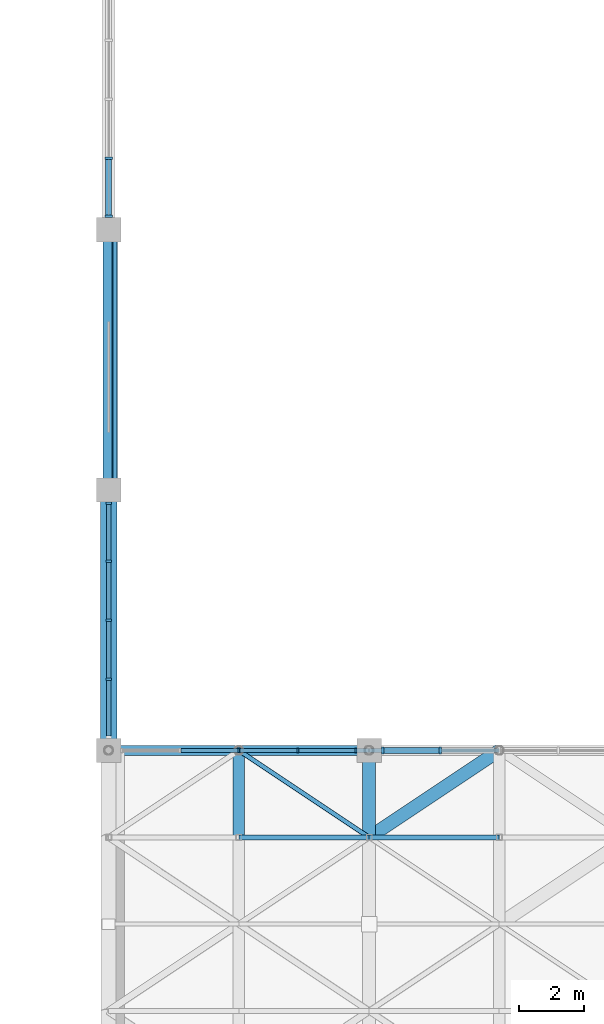
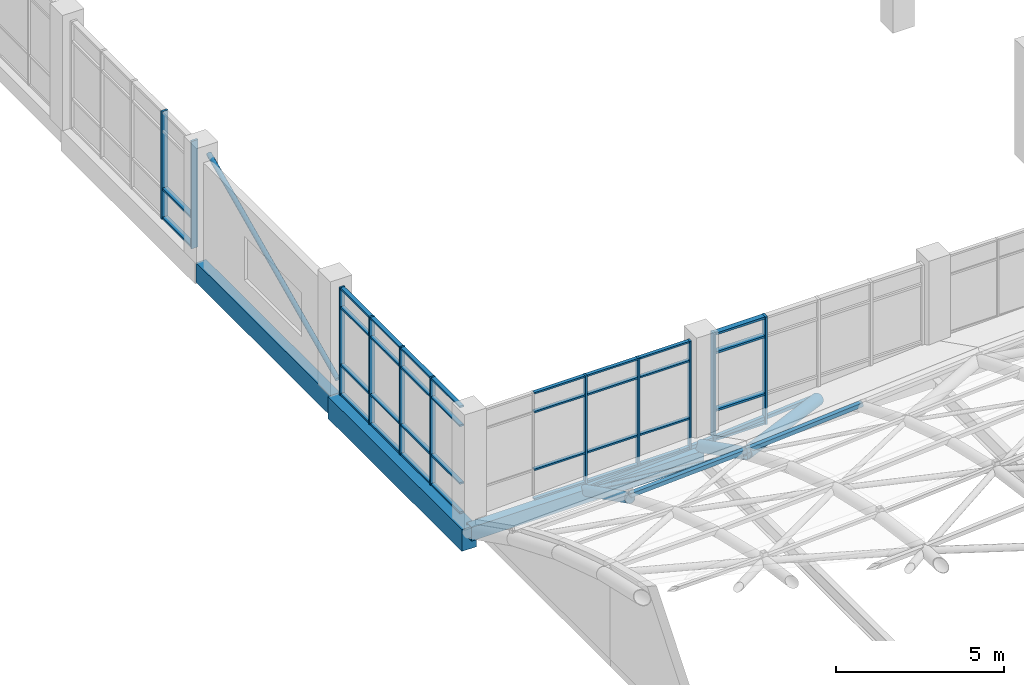
# One storey, part 13 of 72: 52 members, 5 beams, 4 elements without a shape of their own.
"""IFC4 building model written with IfcOpenShell, lengths in metres."""

from ifc_helpers import new_model, si_unit, direction, frame, origin, origin_2d, place, context, subcontext, project, spatial, rectangle, hollow_rectangle, hollow_circle, extrude, material, material_profile, profile_set, type_object, element, aggregate, save


model = new_model("IFC4")

# Units and contexts
model_context = context("Model", 3, precision=1e-05, world=origin(), true_north=direction((0.0, 1.0)))
body_context = subcontext(model_context, "Body", "Model", "MODEL_VIEW")
ifc_project = project(units=[si_unit("LENGTHUNIT", "METRE"), si_unit("AREAUNIT", "SQUARE_METRE"), si_unit("VOLUMEUNIT", "CUBIC_METRE"), si_unit("PLANEANGLEUNIT", "RADIAN"), si_unit("MASSUNIT", "GRAM", prefix="KILO")], contexts=[model_context])

# Site, building, storey
site_placement = place(None, origin())
site = spatial("IfcSite", under=ifc_project, at=site_placement, CompositionType="ELEMENT")
building_placement = place(site_placement, origin())
building = spatial("IfcBuilding", under=site, at=building_placement, Name="Tenunan Teduh Sports Hall", CompositionType="ELEMENT")
storey_placement = place(building_placement, frame((0.0, 0.0, 15.0)))
storey = spatial("IfcBuildingStorey", under=building, at=storey_placement, Name="L03", CompositionType="ELEMENT", Elevation=15.0)

# Beams
ifc_material_1 = material(Name="Concrete C40/50", Category="concrete")
ifc_material_profile_1 = material_profile(ifc_material_1, rectangle(XDim=0.5, YDim=0.800048828125, at=origin_2d()), Name="RCB 500x800")
ifc_profile_set_1 = profile_set([ifc_material_profile_1], Name="Concrete C40/50")
beam_type_1 = type_object("IfcBeamType", Name="BM-RC-500x800", PredefinedType="BEAM", material=ifc_profile_set_1)
beam_1_placement = place(storey_placement, frame((122.0, 46.0, -0.639892578125), z_axis=(0.0, 1.0, 0.0), x_axis=(-1.0, 0.0, 0.0)))
element("IfcBeam", 1, at=beam_1_placement, inside=storey, type_object=beam_type_1, Name="BM-B-14-L03-1936", PredefinedType="BEAM", context=body_context, shape_type="SweptSolid", body=[
    extrude(rectangle(XDim=0.5, YDim=0.800048828125, at=origin_2d()), origin(), (0.0, 0.0, 1.0), 8.0),
])
ifc_material_2 = material(Name="Concrete C40/50", Category="concrete")
ifc_material_profile_2 = material_profile(ifc_material_2, rectangle(XDim=0.35009765625, YDim=0.719970703125, at=origin_2d()), Name="TB 350x720")
ifc_profile_set_2 = profile_set([ifc_material_profile_2], Name="Concrete C40/50")
beam_type_2 = type_object("IfcBeamType", Name="BM-TB-350x720", PredefinedType="T_BEAM", material=ifc_profile_set_2)
beam_2_placement = place(storey_placement, frame((122.0, 54.0, -0.60009765625), z_axis=(0.0, 1.0, 0.0), x_axis=(-1.0, 0.0, 0.0)))
element("IfcBeam", 2, at=beam_2_placement, inside=storey, type_object=beam_type_2, Name="BM-TB-01-L03-1937", PredefinedType="T_BEAM", context=body_context, shape_type="SweptSolid", body=[
    extrude(rectangle(XDim=0.35009765625, YDim=0.719970703125, at=origin_2d()), origin(), (0.0, 0.0, 1.0), 8.0),
])

# Curtain wall, members
ifc_material_3 = material(Name="Anodised aluminium", Category="aluminium")
curtain_wall_type_1 = type_object("IfcCurtainWallType", Name="CW-CLER-1", PredefinedType="NOTDEFINED", material=ifc_material_3)
curtain_wall_1_placement = place(storey_placement, origin())
curtain_wall_1 = element("IfcCurtainWall", 3, at=curtain_wall_1_placement, inside=storey, type_object=curtain_wall_type_1, Name="CW-CWM-150-L03-139", PredefinedType="NOTDEFINED")
ifc_material_4 = material(Name="Anodised aluminium", Category="aluminium")
ifc_material_profile_3 = material_profile(ifc_material_4, rectangle(XDim=0.06005859375, YDim=0.14990234375, at=origin_2d()), Name="CWM 60x150")
ifc_profile_set_3 = profile_set([ifc_material_profile_3], Name="Anodised aluminium")
member_type_1 = type_object("IfcMemberType", Name="CWM-150", PredefinedType="MULLION", material=ifc_profile_set_3)
member_1_placement = place(storey_placement, frame((126.0, 46.0, 0.0), z_axis=(0.0, 0.0, 1.0), x_axis=(1.0, 0.0, 0.0)))
member_1 = element("IfcMember", 4, at=member_1_placement, type_object=member_type_1, Name="CW-03 mullion 3", PredefinedType="MULLION", context=body_context, shape_type="SweptSolid", body=[
    extrude(rectangle(XDim=0.06005859375, YDim=0.14990234375, at=origin_2d()), origin(), (0.0, 0.0, 1.0), 3.919921875),
])
member_2_placement = place(storey_placement, frame((127.8125, 46.0, 0.0), z_axis=(0.0, 0.0, 1.0), x_axis=(1.0, 0.0, 0.0)))
member_2 = element("IfcMember", 5, at=member_2_placement, type_object=member_type_1, Name="CW-03 mullion 4", PredefinedType="MULLION", context=body_context, shape_type="SweptSolid", body=[
    extrude(rectangle(XDim=0.06005859375, YDim=0.14990234375, at=origin_2d()), origin(), (0.0, 0.0, 1.0), 3.919921875),
])
member_3_placement = place(storey_placement, frame((129.594970703125, 46.0, 0.0), z_axis=(0.0, 0.0, 1.0), x_axis=(1.0, 0.0, 0.0)))
member_3 = element("IfcMember", 6, at=member_3_placement, type_object=member_type_1, Name="CW-03 mullion 5", PredefinedType="MULLION", context=body_context, shape_type="SweptSolid", body=[
    extrude(rectangle(XDim=0.06005859375, YDim=0.14990234375, at=origin_2d()), origin(), (0.0, 0.0, 1.0), 3.919921875),
])

ifc_material_5 = material(Name="Anodised aluminium", Category="aluminium")
curtain_wall_type_2 = type_object("IfcCurtainWallType", Name="CW-UNIT-2", PredefinedType="NOTDEFINED", material=ifc_material_5)
curtain_wall_2_placement = place(storey_placement, origin())
curtain_wall_2 = element("IfcCurtainWall", 7, at=curtain_wall_2_placement, inside=storey, type_object=curtain_wall_type_2, Name="CW-CWM-175-L03-146", PredefinedType="NOTDEFINED")
ifc_material_6 = material(Name="Anodised aluminium", Category="aluminium")
ifc_material_profile_4 = material_profile(ifc_material_6, rectangle(XDim=0.06494140625, YDim=0.175048828125, at=origin_2d()), Name="CWM 65x175")
ifc_profile_set_4 = profile_set([ifc_material_profile_4], Name="Anodised aluminium")
member_type_2 = type_object("IfcMemberType", Name="CWM-175", PredefinedType="MULLION", material=ifc_profile_set_4)
member_4_placement = place(storey_placement, frame((122.0, 48.1875, 0.0), z_axis=(0.0, 0.0, 1.0), x_axis=(0.0, 1.0, 0.0)))
member_4 = element("IfcMember", 8, at=member_4_placement, type_object=member_type_2, Name="CW-02 mullion 2", PredefinedType="MULLION", context=body_context, shape_type="SweptSolid", body=[
    extrude(rectangle(XDim=0.06494140625, YDim=0.175048828125, at=origin_2d()), origin(), (0.0, 0.0, 1.0), 3.919921875),
])
member_5_placement = place(storey_placement, frame((122.0, 50.0, 0.0), z_axis=(0.0, 0.0, 1.0), x_axis=(0.0, 1.0, 0.0)))
member_5 = element("IfcMember", 9, at=member_5_placement, type_object=member_type_2, Name="CW-02 mullion 3", PredefinedType="MULLION", context=body_context, shape_type="SweptSolid", body=[
    extrude(rectangle(XDim=0.06494140625, YDim=0.175048828125, at=origin_2d()), origin(), (0.0, 0.0, 1.0), 3.919921875),
])
member_6_placement = place(storey_placement, frame((122.0, 51.8125, 0.0), z_axis=(0.0, 0.0, 1.0), x_axis=(0.0, 1.0, 0.0)))
member_6 = element("IfcMember", 10, at=member_6_placement, type_object=member_type_2, Name="CW-02 mullion 4", PredefinedType="MULLION", context=body_context, shape_type="SweptSolid", body=[
    extrude(rectangle(XDim=0.06494140625, YDim=0.175048828125, at=origin_2d()), origin(), (0.0, 0.0, 1.0), 3.919921875),
])
member_7_placement = place(storey_placement, frame((122.0, 53.592529296875, 0.0), z_axis=(0.0, 0.0, 1.0), x_axis=(0.0, 1.0, 0.0)))
member_7 = element("IfcMember", 11, at=member_7_placement, type_object=member_type_2, Name="CW-02 mullion 5", PredefinedType="MULLION", context=body_context, shape_type="SweptSolid", body=[
    extrude(rectangle(XDim=0.06494140625, YDim=0.175048828125, at=origin_2d()), origin(), (0.0, 0.0, 1.0), 3.919921875),
])

curtain_wall_3_placement = place(storey_placement, origin())
curtain_wall_3 = element("IfcCurtainWall", 12, at=curtain_wall_3_placement, inside=storey, type_object=curtain_wall_type_1, Name="CW-CWM-220-L03-141", PredefinedType="NOTDEFINED")
ifc_material_7 = material(Name="Anodised aluminium", Category="aluminium")
ifc_material_profile_5 = material_profile(ifc_material_7, rectangle(XDim=0.074951171875, YDim=0.219970703125, at=origin_2d()), Name="CWM 75x220")
ifc_profile_set_5 = profile_set([ifc_material_profile_5], Name="Anodised aluminium")
member_type_3 = type_object("IfcMemberType", Name="CWM-220", PredefinedType="MULLION", material=ifc_profile_set_5)
member_8_placement = place(storey_placement, frame((130.41259765625, 46.0, 0.0), z_axis=(0.0, 0.0, 1.0), x_axis=(1.0, 0.0, 0.0)))
member_8 = element("IfcMember", 13, at=member_8_placement, type_object=member_type_3, Name="CW-03 mullion 1", PredefinedType="MULLION", context=body_context, shape_type="SweptSolid", body=[
    extrude(rectangle(XDim=0.074951171875, YDim=0.219970703125, at=origin_2d()), origin(), (0.0, 0.0, 1.0), 3.919921875),
])
member_9_placement = place(storey_placement, frame((132.1875, 46.0, 0.0), z_axis=(0.0, 0.0, 1.0), x_axis=(1.0, 0.0, 0.0)))
member_9 = element("IfcMember", 14, at=member_9_placement, type_object=member_type_3, Name="CW-03 mullion 2", PredefinedType="MULLION", context=body_context, shape_type="SweptSolid", body=[
    extrude(rectangle(XDim=0.074951171875, YDim=0.219970703125, at=origin_2d()), origin(), (0.0, 0.0, 1.0), 3.919921875),
])

curtain_wall_4_placement = place(storey_placement, origin())
curtain_wall_4 = element("IfcCurtainWall", 15, at=curtain_wall_4_placement, inside=storey, type_object=curtain_wall_type_2, Name="CW-CWM-220-L03-149", PredefinedType="NOTDEFINED")
member_10_placement = place(storey_placement, frame((122.0, 62.41259765625, 0.0), z_axis=(0.0, 0.0, 1.0), x_axis=(0.0, 1.0, 0.0)))
member_10 = element("IfcMember", 16, at=member_10_placement, type_object=member_type_3, Name="CW-02 mullion 1", PredefinedType="MULLION", context=body_context, shape_type="SweptSolid", body=[
    extrude(rectangle(XDim=0.074951171875, YDim=0.219970703125, at=origin_2d()), origin(), (0.0, 0.0, 1.0), 3.919921875),
])
member_11_placement = place(storey_placement, frame((122.0, 64.1875, 0.0), z_axis=(0.0, 0.0, 1.0), x_axis=(0.0, 1.0, 0.0)))
member_11 = element("IfcMember", 17, at=member_11_placement, type_object=member_type_3, Name="CW-02 mullion 2", PredefinedType="MULLION", context=body_context, shape_type="SweptSolid", body=[
    extrude(rectangle(XDim=0.074951171875, YDim=0.219970703125, at=origin_2d()), origin(), (0.0, 0.0, 1.0), 3.919921875),
])

# Member
ifc_material_8 = material(Name="Anodised aluminium", Category="aluminium")
ifc_material_profile_6 = material_profile(ifc_material_8, rectangle(XDim=0.06005859375, YDim=0.1201171875, at=origin_2d()), Name="CWT 60x120")
ifc_profile_set_6 = profile_set([ifc_material_profile_6], Name="Anodised aluminium")
member_type_4 = type_object("IfcMemberType", Name="CWT-125", PredefinedType="USERDEFINED", material=ifc_profile_set_6)
member_12_placement = place(storey_placement, frame((124.217529296875, 46.0, 0.030029296875), z_axis=(1.0, 0.0, 0.0), x_axis=(0.0, 0.0, 1.0)))
member_12 = element("IfcMember", 18, at=member_12_placement, type_object=member_type_4, Name="CW-03 transom 2.1", ObjectType="TRANSOM", PredefinedType="USERDEFINED", context=body_context, shape_type="SweptSolid", body=[
    extrude(rectangle(XDim=0.06005859375, YDim=0.1201171875, at=origin_2d()), origin(), (0.0, 0.0, 1.0), 1.75244140625),
])

member_13_placement = place(storey_placement, frame((124.217529296875, 46.0, 1.10009765625), z_axis=(1.0, 0.0, 0.0), x_axis=(0.0, 0.0, 1.0)))
member_13 = element("IfcMember", 19, at=member_13_placement, type_object=member_type_4, Name="CW-03 transom 2.2", ObjectType="TRANSOM", PredefinedType="USERDEFINED", context=body_context, shape_type="SweptSolid", body=[
    extrude(rectangle(XDim=0.06005859375, YDim=0.1201171875, at=origin_2d()), origin(), (0.0, 0.0, 1.0), 1.75244140625),
])

member_14_placement = place(storey_placement, frame((124.217529296875, 46.0, 3.199951171875), z_axis=(1.0, 0.0, 0.0), x_axis=(0.0, 0.0, 1.0)))
member_14 = element("IfcMember", 20, at=member_14_placement, type_object=member_type_4, Name="CW-03 transom 2.3", ObjectType="TRANSOM", PredefinedType="USERDEFINED", context=body_context, shape_type="SweptSolid", body=[
    extrude(rectangle(XDim=0.06005859375, YDim=0.1201171875, at=origin_2d()), origin(), (0.0, 0.0, 1.0), 1.75244140625),
])

member_15_placement = place(storey_placement, frame((124.217529296875, 46.0, 3.889892578125), z_axis=(1.0, 0.0, 0.0), x_axis=(0.0, 0.0, 1.0)))
member_15 = element("IfcMember", 21, at=member_15_placement, type_object=member_type_4, Name="CW-03 transom 2.4", ObjectType="TRANSOM", PredefinedType="USERDEFINED", context=body_context, shape_type="SweptSolid", body=[
    extrude(rectangle(XDim=0.06005859375, YDim=0.1201171875, at=origin_2d()), origin(), (0.0, 0.0, 1.0), 1.75244140625),
])

member_16_placement = place(storey_placement, frame((126.030029296875, 46.0, 0.030029296875), z_axis=(1.0, 0.0, 0.0), x_axis=(0.0, 0.0, 1.0)))
member_16 = element("IfcMember", 22, at=member_16_placement, type_object=member_type_4, Name="CW-03 transom 3.1", ObjectType="TRANSOM", PredefinedType="USERDEFINED", context=body_context, shape_type="SweptSolid", body=[
    extrude(rectangle(XDim=0.06005859375, YDim=0.1201171875, at=origin_2d()), origin(), (0.0, 0.0, 1.0), 1.75244140625),
])

member_17_placement = place(storey_placement, frame((126.030029296875, 46.0, 1.10009765625), z_axis=(1.0, 0.0, 0.0), x_axis=(0.0, 0.0, 1.0)))
member_17 = element("IfcMember", 23, at=member_17_placement, type_object=member_type_4, Name="CW-03 transom 3.2", ObjectType="TRANSOM", PredefinedType="USERDEFINED", context=body_context, shape_type="SweptSolid", body=[
    extrude(rectangle(XDim=0.06005859375, YDim=0.1201171875, at=origin_2d()), origin(), (0.0, 0.0, 1.0), 1.75244140625),
])

member_18_placement = place(storey_placement, frame((126.030029296875, 46.0, 3.199951171875), z_axis=(1.0, 0.0, 0.0), x_axis=(0.0, 0.0, 1.0)))
member_18 = element("IfcMember", 24, at=member_18_placement, type_object=member_type_4, Name="CW-03 transom 3.3", ObjectType="TRANSOM", PredefinedType="USERDEFINED", context=body_context, shape_type="SweptSolid", body=[
    extrude(rectangle(XDim=0.06005859375, YDim=0.1201171875, at=origin_2d()), origin(), (0.0, 0.0, 1.0), 1.75244140625),
])

member_19_placement = place(storey_placement, frame((126.030029296875, 46.0, 3.889892578125), z_axis=(1.0, 0.0, 0.0), x_axis=(0.0, 0.0, 1.0)))
member_19 = element("IfcMember", 25, at=member_19_placement, type_object=member_type_4, Name="CW-03 transom 3.4", ObjectType="TRANSOM", PredefinedType="USERDEFINED", context=body_context, shape_type="SweptSolid", body=[
    extrude(rectangle(XDim=0.06005859375, YDim=0.1201171875, at=origin_2d()), origin(), (0.0, 0.0, 1.0), 1.75244140625),
])

member_20_placement = place(storey_placement, frame((127.842529296875, 46.0, 0.030029296875), z_axis=(1.0, 0.0, 0.0), x_axis=(0.0, 0.0, 1.0)))
member_20 = element("IfcMember", 26, at=member_20_placement, type_object=member_type_4, Name="CW-03 transom 4.1", ObjectType="TRANSOM", PredefinedType="USERDEFINED", context=body_context, shape_type="SweptSolid", body=[
    extrude(rectangle(XDim=0.06005859375, YDim=0.1201171875, at=origin_2d()), origin(), (0.0, 0.0, 1.0), 1.722412109375),
])

member_21_placement = place(storey_placement, frame((127.842529296875, 46.0, 1.10009765625), z_axis=(1.0, 0.0, 0.0), x_axis=(0.0, 0.0, 1.0)))
member_21 = element("IfcMember", 27, at=member_21_placement, type_object=member_type_4, Name="CW-03 transom 4.2", ObjectType="TRANSOM", PredefinedType="USERDEFINED", context=body_context, shape_type="SweptSolid", body=[
    extrude(rectangle(XDim=0.06005859375, YDim=0.1201171875, at=origin_2d()), origin(), (0.0, 0.0, 1.0), 1.722412109375),
])

member_22_placement = place(storey_placement, frame((127.842529296875, 46.0, 3.199951171875), z_axis=(1.0, 0.0, 0.0), x_axis=(0.0, 0.0, 1.0)))
member_22 = element("IfcMember", 28, at=member_22_placement, type_object=member_type_4, Name="CW-03 transom 4.3", ObjectType="TRANSOM", PredefinedType="USERDEFINED", context=body_context, shape_type="SweptSolid", body=[
    extrude(rectangle(XDim=0.06005859375, YDim=0.1201171875, at=origin_2d()), origin(), (0.0, 0.0, 1.0), 1.722412109375),
])

member_23_placement = place(storey_placement, frame((127.842529296875, 46.0, 3.889892578125), z_axis=(1.0, 0.0, 0.0), x_axis=(0.0, 0.0, 1.0)))
member_23 = element("IfcMember", 29, at=member_23_placement, type_object=member_type_4, Name="CW-03 transom 4.4", ObjectType="TRANSOM", PredefinedType="USERDEFINED", context=body_context, shape_type="SweptSolid", body=[
    extrude(rectangle(XDim=0.06005859375, YDim=0.1201171875, at=origin_2d()), origin(), (0.0, 0.0, 1.0), 1.722412109375),
])

aggregate(curtain_wall_1, [member_1, member_2, member_3, member_12, member_13, member_14, member_15, member_16, member_17, member_18, member_19, member_20, member_21, member_22, member_23])

ifc_material_9 = material(Name="Anodised aluminium", Category="aluminium")
ifc_material_profile_7 = material_profile(ifc_material_9, rectangle(XDim=0.06494140625, YDim=0.139892578125, at=origin_2d()), Name="CWT 65x140")
ifc_profile_set_7 = profile_set([ifc_material_profile_7], Name="Anodised aluminium")
member_type_5 = type_object("IfcMemberType", Name="CWT-150", PredefinedType="USERDEFINED", material=ifc_profile_set_7)
member_24_placement = place(storey_placement, frame((122.0, 46.43994140625, 0.032470703125), z_axis=(0.0, 1.0, 0.0), x_axis=(0.0, 0.0, 1.0)))
member_24 = element("IfcMember", 30, at=member_24_placement, type_object=member_type_5, Name="CW-02 transom 1.1", ObjectType="TRANSOM", PredefinedType="USERDEFINED", context=body_context, shape_type="SweptSolid", body=[
    extrude(rectangle(XDim=0.06494140625, YDim=0.139892578125, at=origin_2d()), origin(), (0.0, 0.0, 1.0), 1.715087890625),
])

member_25_placement = place(storey_placement, frame((122.0, 46.43994140625, 1.10009765625), z_axis=(0.0, 1.0, 0.0), x_axis=(0.0, 0.0, 1.0)))
member_25 = element("IfcMember", 31, at=member_25_placement, type_object=member_type_5, Name="CW-02 transom 1.2", ObjectType="TRANSOM", PredefinedType="USERDEFINED", context=body_context, shape_type="SweptSolid", body=[
    extrude(rectangle(XDim=0.06494140625, YDim=0.139892578125, at=origin_2d()), origin(), (0.0, 0.0, 1.0), 1.715087890625),
])

member_26_placement = place(storey_placement, frame((122.0, 46.43994140625, 3.199951171875), z_axis=(0.0, 1.0, 0.0), x_axis=(0.0, 0.0, 1.0)))
member_26 = element("IfcMember", 32, at=member_26_placement, type_object=member_type_5, Name="CW-02 transom 1.3", ObjectType="TRANSOM", PredefinedType="USERDEFINED", context=body_context, shape_type="SweptSolid", body=[
    extrude(rectangle(XDim=0.06494140625, YDim=0.139892578125, at=origin_2d()), origin(), (0.0, 0.0, 1.0), 1.715087890625),
])

member_27_placement = place(storey_placement, frame((122.0, 46.43994140625, 3.887451171875), z_axis=(0.0, 1.0, 0.0), x_axis=(0.0, 0.0, 1.0)))
member_27 = element("IfcMember", 33, at=member_27_placement, type_object=member_type_5, Name="CW-02 transom 1.4", ObjectType="TRANSOM", PredefinedType="USERDEFINED", context=body_context, shape_type="SweptSolid", body=[
    extrude(rectangle(XDim=0.06494140625, YDim=0.139892578125, at=origin_2d()), origin(), (0.0, 0.0, 1.0), 1.715087890625),
])

member_28_placement = place(storey_placement, frame((122.0, 48.219970703125, 0.032470703125), z_axis=(0.0, 1.0, 0.0), x_axis=(0.0, 0.0, 1.0)))
member_28 = element("IfcMember", 34, at=member_28_placement, type_object=member_type_5, Name="CW-02 transom 2.1", ObjectType="TRANSOM", PredefinedType="USERDEFINED", context=body_context, shape_type="SweptSolid", body=[
    extrude(rectangle(XDim=0.06494140625, YDim=0.139892578125, at=origin_2d()), origin(), (0.0, 0.0, 1.0), 1.74755859375),
])

member_29_placement = place(storey_placement, frame((122.0, 48.219970703125, 1.10009765625), z_axis=(0.0, 1.0, 0.0), x_axis=(0.0, 0.0, 1.0)))
member_29 = element("IfcMember", 35, at=member_29_placement, type_object=member_type_5, Name="CW-02 transom 2.2", ObjectType="TRANSOM", PredefinedType="USERDEFINED", context=body_context, shape_type="SweptSolid", body=[
    extrude(rectangle(XDim=0.06494140625, YDim=0.139892578125, at=origin_2d()), origin(), (0.0, 0.0, 1.0), 1.74755859375),
])

member_30_placement = place(storey_placement, frame((122.0, 48.219970703125, 3.199951171875), z_axis=(0.0, 1.0, 0.0), x_axis=(0.0, 0.0, 1.0)))
member_30 = element("IfcMember", 36, at=member_30_placement, type_object=member_type_5, Name="CW-02 transom 2.3", ObjectType="TRANSOM", PredefinedType="USERDEFINED", context=body_context, shape_type="SweptSolid", body=[
    extrude(rectangle(XDim=0.06494140625, YDim=0.139892578125, at=origin_2d()), origin(), (0.0, 0.0, 1.0), 1.74755859375),
])

member_31_placement = place(storey_placement, frame((122.0, 48.219970703125, 3.887451171875), z_axis=(0.0, 1.0, 0.0), x_axis=(0.0, 0.0, 1.0)))
member_31 = element("IfcMember", 37, at=member_31_placement, type_object=member_type_5, Name="CW-02 transom 2.4", ObjectType="TRANSOM", PredefinedType="USERDEFINED", context=body_context, shape_type="SweptSolid", body=[
    extrude(rectangle(XDim=0.06494140625, YDim=0.139892578125, at=origin_2d()), origin(), (0.0, 0.0, 1.0), 1.74755859375),
])

member_32_placement = place(storey_placement, frame((122.0, 50.032470703125, 0.032470703125), z_axis=(0.0, 1.0, 0.0), x_axis=(0.0, 0.0, 1.0)))
member_32 = element("IfcMember", 38, at=member_32_placement, type_object=member_type_5, Name="CW-02 transom 3.1", ObjectType="TRANSOM", PredefinedType="USERDEFINED", context=body_context, shape_type="SweptSolid", body=[
    extrude(rectangle(XDim=0.06494140625, YDim=0.139892578125, at=origin_2d()), origin(), (0.0, 0.0, 1.0), 1.74755859375),
])

member_33_placement = place(storey_placement, frame((122.0, 50.032470703125, 1.10009765625), z_axis=(0.0, 1.0, 0.0), x_axis=(0.0, 0.0, 1.0)))
member_33 = element("IfcMember", 39, at=member_33_placement, type_object=member_type_5, Name="CW-02 transom 3.2", ObjectType="TRANSOM", PredefinedType="USERDEFINED", context=body_context, shape_type="SweptSolid", body=[
    extrude(rectangle(XDim=0.06494140625, YDim=0.139892578125, at=origin_2d()), origin(), (0.0, 0.0, 1.0), 1.74755859375),
])

member_34_placement = place(storey_placement, frame((122.0, 50.032470703125, 3.199951171875), z_axis=(0.0, 1.0, 0.0), x_axis=(0.0, 0.0, 1.0)))
member_34 = element("IfcMember", 40, at=member_34_placement, type_object=member_type_5, Name="CW-02 transom 3.3", ObjectType="TRANSOM", PredefinedType="USERDEFINED", context=body_context, shape_type="SweptSolid", body=[
    extrude(rectangle(XDim=0.06494140625, YDim=0.139892578125, at=origin_2d()), origin(), (0.0, 0.0, 1.0), 1.74755859375),
])

member_35_placement = place(storey_placement, frame((122.0, 50.032470703125, 3.887451171875), z_axis=(0.0, 1.0, 0.0), x_axis=(0.0, 0.0, 1.0)))
member_35 = element("IfcMember", 41, at=member_35_placement, type_object=member_type_5, Name="CW-02 transom 3.4", ObjectType="TRANSOM", PredefinedType="USERDEFINED", context=body_context, shape_type="SweptSolid", body=[
    extrude(rectangle(XDim=0.06494140625, YDim=0.139892578125, at=origin_2d()), origin(), (0.0, 0.0, 1.0), 1.74755859375),
])

member_36_placement = place(storey_placement, frame((122.0, 51.844970703125, 0.032470703125), z_axis=(0.0, 1.0, 0.0), x_axis=(0.0, 0.0, 1.0)))
member_36 = element("IfcMember", 42, at=member_36_placement, type_object=member_type_5, Name="CW-02 transom 4.1", ObjectType="TRANSOM", PredefinedType="USERDEFINED", context=body_context, shape_type="SweptSolid", body=[
    extrude(rectangle(XDim=0.06494140625, YDim=0.139892578125, at=origin_2d()), origin(), (0.0, 0.0, 1.0), 1.715087890625),
])

member_37_placement = place(storey_placement, frame((122.0, 51.844970703125, 1.10009765625), z_axis=(0.0, 1.0, 0.0), x_axis=(0.0, 0.0, 1.0)))
member_37 = element("IfcMember", 43, at=member_37_placement, type_object=member_type_5, Name="CW-02 transom 4.2", ObjectType="TRANSOM", PredefinedType="USERDEFINED", context=body_context, shape_type="SweptSolid", body=[
    extrude(rectangle(XDim=0.06494140625, YDim=0.139892578125, at=origin_2d()), origin(), (0.0, 0.0, 1.0), 1.715087890625),
])

member_38_placement = place(storey_placement, frame((122.0, 51.844970703125, 3.199951171875), z_axis=(0.0, 1.0, 0.0), x_axis=(0.0, 0.0, 1.0)))
member_38 = element("IfcMember", 44, at=member_38_placement, type_object=member_type_5, Name="CW-02 transom 4.3", ObjectType="TRANSOM", PredefinedType="USERDEFINED", context=body_context, shape_type="SweptSolid", body=[
    extrude(rectangle(XDim=0.06494140625, YDim=0.139892578125, at=origin_2d()), origin(), (0.0, 0.0, 1.0), 1.715087890625),
])

member_39_placement = place(storey_placement, frame((122.0, 51.844970703125, 3.887451171875), z_axis=(0.0, 1.0, 0.0), x_axis=(0.0, 0.0, 1.0)))
member_39 = element("IfcMember", 45, at=member_39_placement, type_object=member_type_5, Name="CW-02 transom 4.4", ObjectType="TRANSOM", PredefinedType="USERDEFINED", context=body_context, shape_type="SweptSolid", body=[
    extrude(rectangle(XDim=0.06494140625, YDim=0.139892578125, at=origin_2d()), origin(), (0.0, 0.0, 1.0), 1.715087890625),
])

aggregate(curtain_wall_2, [member_4, member_5, member_6, member_7, member_24, member_25, member_26, member_27, member_28, member_29, member_30, member_31, member_32, member_33, member_34, member_35, member_36, member_37, member_38, member_39])

ifc_material_10 = material(Name="Anodised aluminium", Category="aluminium")
ifc_material_profile_8 = material_profile(ifc_material_10, rectangle(XDim=0.074951171875, YDim=0.179931640625, at=origin_2d()), Name="CWT 75x180")
ifc_profile_set_8 = profile_set([ifc_material_profile_8], Name="Anodised aluminium")
member_type_6 = type_object("IfcMemberType", Name="CWT-180", PredefinedType="USERDEFINED", material=ifc_profile_set_8)
member_40_placement = place(storey_placement, frame((130.449951171875, 46.0, 0.03759765625), z_axis=(1.0, 0.0, 0.0), x_axis=(0.0, 0.0, 1.0)))
member_40 = element("IfcMember", 46, at=member_40_placement, type_object=member_type_6, Name="CW-03 transom 1.1", ObjectType="TRANSOM", PredefinedType="USERDEFINED", context=body_context, shape_type="SweptSolid", body=[
    extrude(rectangle(XDim=0.074951171875, YDim=0.179931640625, at=origin_2d()), origin(), (0.0, 0.0, 1.0), 1.699951171875),
])

member_41_placement = place(storey_placement, frame((130.449951171875, 46.0, 1.10009765625), z_axis=(1.0, 0.0, 0.0), x_axis=(0.0, 0.0, 1.0)))
member_41 = element("IfcMember", 47, at=member_41_placement, type_object=member_type_6, Name="CW-03 transom 1.2", ObjectType="TRANSOM", PredefinedType="USERDEFINED", context=body_context, shape_type="SweptSolid", body=[
    extrude(rectangle(XDim=0.074951171875, YDim=0.179931640625, at=origin_2d()), origin(), (0.0, 0.0, 1.0), 1.699951171875),
])

member_42_placement = place(storey_placement, frame((130.449951171875, 46.0, 3.199951171875), z_axis=(1.0, 0.0, 0.0), x_axis=(0.0, 0.0, 1.0)))
member_42 = element("IfcMember", 48, at=member_42_placement, type_object=member_type_6, Name="CW-03 transom 1.3", ObjectType="TRANSOM", PredefinedType="USERDEFINED", context=body_context, shape_type="SweptSolid", body=[
    extrude(rectangle(XDim=0.074951171875, YDim=0.179931640625, at=origin_2d()), origin(), (0.0, 0.0, 1.0), 1.699951171875),
])

member_43_placement = place(storey_placement, frame((130.449951171875, 46.0, 3.882568359375), z_axis=(1.0, 0.0, 0.0), x_axis=(0.0, 0.0, 1.0)))
member_43 = element("IfcMember", 49, at=member_43_placement, type_object=member_type_6, Name="CW-03 transom 1.4", ObjectType="TRANSOM", PredefinedType="USERDEFINED", context=body_context, shape_type="SweptSolid", body=[
    extrude(rectangle(XDim=0.074951171875, YDim=0.179931640625, at=origin_2d()), origin(), (0.0, 0.0, 1.0), 1.699951171875),
])

aggregate(curtain_wall_3, [member_8, member_9, member_40, member_41, member_42, member_43])

member_44_placement = place(storey_placement, frame((122.0, 62.449951171875, 0.03759765625), z_axis=(0.0, 1.0, 0.0), x_axis=(0.0, 0.0, 1.0)))
member_44 = element("IfcMember", 50, at=member_44_placement, type_object=member_type_6, Name="CW-02 transom 1.1", ObjectType="TRANSOM", PredefinedType="USERDEFINED", context=body_context, shape_type="SweptSolid", body=[
    extrude(rectangle(XDim=0.074951171875, YDim=0.179931640625, at=origin_2d()), origin(), (0.0, 0.0, 1.0), 1.699951171875),
])

member_45_placement = place(storey_placement, frame((122.0, 62.449951171875, 1.10009765625), z_axis=(0.0, 1.0, 0.0), x_axis=(0.0, 0.0, 1.0)))
member_45 = element("IfcMember", 51, at=member_45_placement, type_object=member_type_6, Name="CW-02 transom 1.2", ObjectType="TRANSOM", PredefinedType="USERDEFINED", context=body_context, shape_type="SweptSolid", body=[
    extrude(rectangle(XDim=0.074951171875, YDim=0.179931640625, at=origin_2d()), origin(), (0.0, 0.0, 1.0), 1.699951171875),
])

aggregate(curtain_wall_4, [member_10, member_11, member_44, member_45])

# Beams
ifc_material_11 = material(Name="Steel S355", Category="steel")
ifc_material_profile_9 = material_profile(ifc_material_11, hollow_circle(Radius=0.177734375, WallThickness=0.012451171875, at=origin_2d()), Name="CHS 355.6x12.5")
ifc_profile_set_9 = profile_set([ifc_material_profile_9], Name="Steel S355")
beam_type_3 = type_object("IfcBeamType", Name="GSB-CHS356", PredefinedType="BEAM", material=ifc_profile_set_9)
beam_3_placement = place(storey_placement, frame((126.0, 43.333251953125, 1.0458984375), z_axis=(0.0, 0.893033000477, -0.449991177756), x_axis=(-1.0, 0.0, 0.0)))
element("IfcBeam", 52, at=beam_3_placement, inside=storey, type_object=beam_type_3, Name="Gridshell Vault Arch BM-GR-04-L03-0094", PredefinedType="BEAM", context=body_context, shape_type="SweptSolid", body=[
    extrude(hollow_circle(Radius=0.177734375, WallThickness=0.012451171875, at=origin_2d()), origin(), (0.0, 0.0, 1.0), 2.986083984375),
])
ifc_material_12 = material(Name="Steel S355", Category="steel")
ifc_material_profile_10 = material_profile(ifc_material_12, hollow_circle(Radius=0.203125, WallThickness=0.01611328125, at=origin_2d()), Name="CHS 406.4x16.0")
ifc_profile_set_10 = profile_set([ifc_material_profile_10], Name="Steel S355")
beam_type_4 = type_object("IfcBeamType", Name="GSB-CHS406", PredefinedType="BEAM", material=ifc_profile_set_10)
beam_4_placement = place(storey_placement, frame((130.0, 43.333251953125, 1.2646484375), z_axis=(0.0, 0.893033000477, -0.449991177756), x_axis=(-1.0, 0.0, 0.0)))
element("IfcBeam", 53, at=beam_4_placement, inside=storey, type_object=beam_type_4, Name="Gridshell Vault Arch BM-GA-02-L03-0107", PredefinedType="BEAM", context=body_context, shape_type="SweptSolid", body=[
    extrude(hollow_circle(Radius=0.203125, WallThickness=0.01611328125, at=origin_2d()), origin(), (0.0, 0.0, 1.0), 2.986083984375),
])

# Members
ifc_material_13 = material(Name="Steel S355", Category="steel")
ifc_material_profile_11 = material_profile(ifc_material_13, hollow_circle(Radius=0.06982421875, WallThickness=0.00634765625, at=origin_2d()), Name="CHS 139.7x6.3")
ifc_profile_set_11 = profile_set([ifc_material_profile_11], Name="Steel S355")
member_type_7 = type_object("IfcMemberType", Name="MEM-BR-CHS140", PredefinedType="BRACE", material=ifc_profile_set_11)
member_46_placement = place(storey_placement, frame((126.0, 46.0, -0.2978515625), z_axis=(0.791296886436, -0.5275473566, 0.309100346264), x_axis=(0.554711915519, 0.832042481356, 0.0)))
element("IfcMember", 54, at=member_46_placement, inside=storey, type_object=member_type_7, Name="MEM-GD-05-L03-0145", PredefinedType="BRACE", context=body_context, shape_type="SweptSolid", body=[
    extrude(hollow_circle(Radius=0.06982421875, WallThickness=0.00634765625, at=origin_2d()), origin(), (0.0, 0.0, 1.0), 5.054931640625),
])
ifc_material_14 = material(Name="Steel S355", Category="steel")
ifc_material_profile_12 = material_profile(ifc_material_14, hollow_circle(Radius=0.084228515625, WallThickness=0.008056640625, at=origin_2d()), Name="CHS 168.3x8.0")
ifc_profile_set_12 = profile_set([ifc_material_profile_12], Name="Steel S355")
member_type_8 = type_object("IfcMemberType", Name="MEM-BR-CHS168", PredefinedType="BRACE", material=ifc_profile_set_12)
member_47_placement = place(storey_placement, frame((122.179931640625, 54.14990234375, 0.14990234375), z_axis=(0.0, 0.908133749762, 0.418680179305), x_axis=(-1.0, 0.0, 0.0)))
element("IfcMember", 55, at=member_47_placement, inside=storey, type_object=member_type_8, Name="MEM-GD-04-L03-1463", PredefinedType="BRACE", context=body_context, shape_type="SweptSolid", body=[
    extrude(hollow_circle(Radius=0.084228515625, WallThickness=0.008056640625, at=origin_2d()), origin(), (0.0, 0.0, 1.0), 8.479248046875),
])
ifc_material_15 = material(Name="Steel S355", Category="steel")
ifc_material_profile_13 = material_profile(ifc_material_15, hollow_circle(Radius=0.203125, WallThickness=0.012451171875, at=origin_2d()), Name="CHS 406.4x12.5")
ifc_profile_set_13 = profile_set([ifc_material_profile_13], Name="Steel S355")
member_type_9 = type_object("IfcMemberType", Name="MEM-CH-CHS406L", PredefinedType="CHORD", material=ifc_profile_set_13)
member_48_placement = place(storey_placement, frame((130.0, 43.333251953125, 1.2646484375), z_axis=(0.813126901845, 0.542101144339, -0.212016487102), x_axis=(-0.554711915519, 0.832042481356, 0.0)))
element("IfcMember", 56, at=member_48_placement, inside=storey, type_object=member_type_9, Name="MEM-GC-01-L03-0171", PredefinedType="CHORD", context=body_context, shape_type="SweptSolid", body=[
    extrude(hollow_circle(Radius=0.203125, WallThickness=0.012451171875, at=origin_2d()), origin(), (0.0, 0.0, 1.0), 4.919189453125),
])
ifc_material_16 = material(Name="Steel S355", Category="steel")
ifc_material_profile_14 = material_profile(ifc_material_16, hollow_rectangle(XDim=0.1201171875, YDim=0.1201171875, WallThickness=0.00634765625, at=origin_2d()), Name="SHS 120x120x6.3")
ifc_profile_set_14 = profile_set([ifc_material_profile_14], Name="Steel S355")
member_type_10 = type_object("IfcMemberType", Name="MEM-PR-SHS120", PredefinedType="PURLIN", material=ifc_profile_set_14)
member_49_placement = place(storey_placement, frame((126.0, 46.0, -0.177978515625), z_axis=(0.998507984492, 0.0, 0.054605905402), x_axis=(0.0, 1.0, 0.0)))
element("IfcMember", 57, at=member_49_placement, inside=storey, type_object=member_type_10, Name="MEM-PR-02-L03-0133", PredefinedType="PURLIN", context=body_context, shape_type="SweptSolid", body=[
    extrude(hollow_rectangle(XDim=0.1201171875, YDim=0.1201171875, WallThickness=0.00634765625, at=origin_2d()), origin(), (0.0, 0.0, 1.0), 4.005859375),
])
member_50_placement = place(storey_placement, frame((130.0, 46.0, 0.040771484375), z_axis=(0.997184765588, 0.0, 0.074983620069), x_axis=(0.0, 1.0, 0.0)))
element("IfcMember", 58, at=member_50_placement, inside=storey, type_object=member_type_10, Name="MEM-PR-02-L03-0159", PredefinedType="PURLIN", context=body_context, shape_type="SweptSolid", body=[
    extrude(hollow_rectangle(XDim=0.1201171875, YDim=0.1201171875, WallThickness=0.00634765625, at=origin_2d()), origin(), (0.0, 0.0, 1.0), 4.01123046875),
])
ifc_material_17 = material(Name="Steel S355", Category="steel")
ifc_material_profile_15 = material_profile(ifc_material_17, hollow_rectangle(XDim=0.14990234375, YDim=0.14990234375, WallThickness=0.008056640625, at=origin_2d()), Name="SHS 150x150x8.0")
ifc_profile_set_15 = profile_set([ifc_material_profile_15], Name="Steel S355")
member_type_11 = type_object("IfcMemberType", Name="MEM-PR-SHS150", PredefinedType="PURLIN", material=ifc_profile_set_15)
member_51_placement = place(storey_placement, frame((126.0, 43.333251953125, 1.165771484375), z_axis=(0.998507984492, 0.0, 0.054605905402), x_axis=(0.0, 1.0, 0.0)))
element("IfcMember", 59, at=member_51_placement, inside=storey, type_object=member_type_11, Name="MEM-PR-01-L03-0132", PredefinedType="PURLIN", context=body_context, shape_type="SweptSolid", body=[
    extrude(hollow_rectangle(XDim=0.14990234375, YDim=0.14990234375, WallThickness=0.008056640625, at=origin_2d()), origin(), (0.0, 0.0, 1.0), 4.005859375),
])
member_52_placement = place(storey_placement, frame((130.0, 43.333251953125, 1.384521484375), z_axis=(0.997184765588, 0.0, 0.074983620069), x_axis=(0.0, 1.0, 0.0)))
element("IfcMember", 60, at=member_52_placement, inside=storey, type_object=member_type_11, Name="MEM-PR-01-L03-0158", PredefinedType="PURLIN", context=body_context, shape_type="SweptSolid", body=[
    extrude(hollow_rectangle(XDim=0.14990234375, YDim=0.14990234375, WallThickness=0.008056640625, at=origin_2d()), origin(), (0.0, 0.0, 1.0), 4.01123046875),
])

# Beam
ifc_material_18 = material(Name="Steel S355", Category="steel")
ifc_material_profile_16 = material_profile(ifc_material_18, hollow_rectangle(XDim=0.300048828125, YDim=0.5, WallThickness=0.01611328125, at=origin_2d()), Name="RHS 500x300x16.0")
ifc_profile_set_16 = profile_set([ifc_material_profile_16], Name="Steel S355")
beam_type_5 = type_object("IfcBeamType", Name="RBM-RHS500", PredefinedType="SPANDREL", material=ifc_profile_set_16)
beam_5_placement = place(storey_placement, frame((122.0, 46.0, -0.409912109375), z_axis=(1.0, 0.0, 0.0), x_axis=(0.0, 1.0, 0.0)))
element("IfcBeam", 61, at=beam_5_placement, inside=storey, type_object=beam_type_5, Name="Perimeter Ring Beam BM-RB-01-L03-0045", PredefinedType="SPANDREL", context=body_context, shape_type="SweptSolid", body=[
    extrude(hollow_rectangle(XDim=0.300048828125, YDim=0.5, WallThickness=0.01611328125, at=origin_2d()), origin(), (0.0, 0.0, 1.0), 8.0),
])

save(model, "model.ifc")
